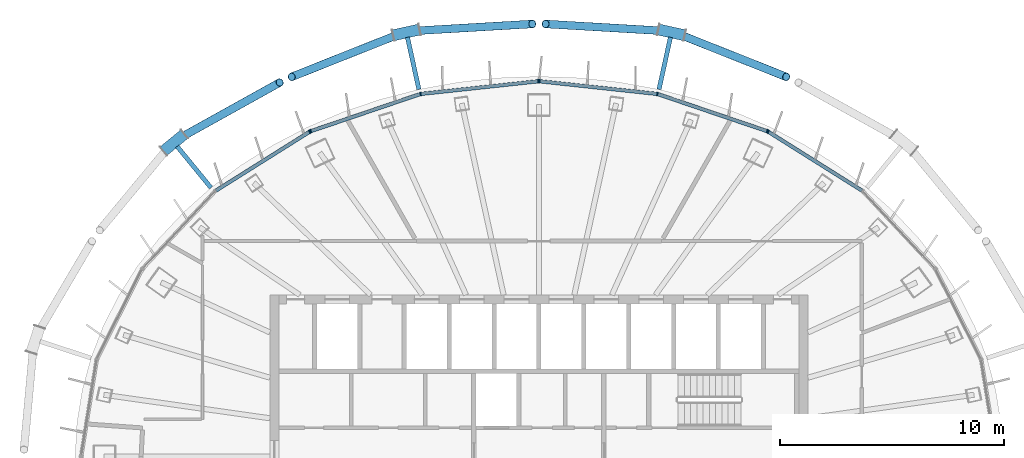
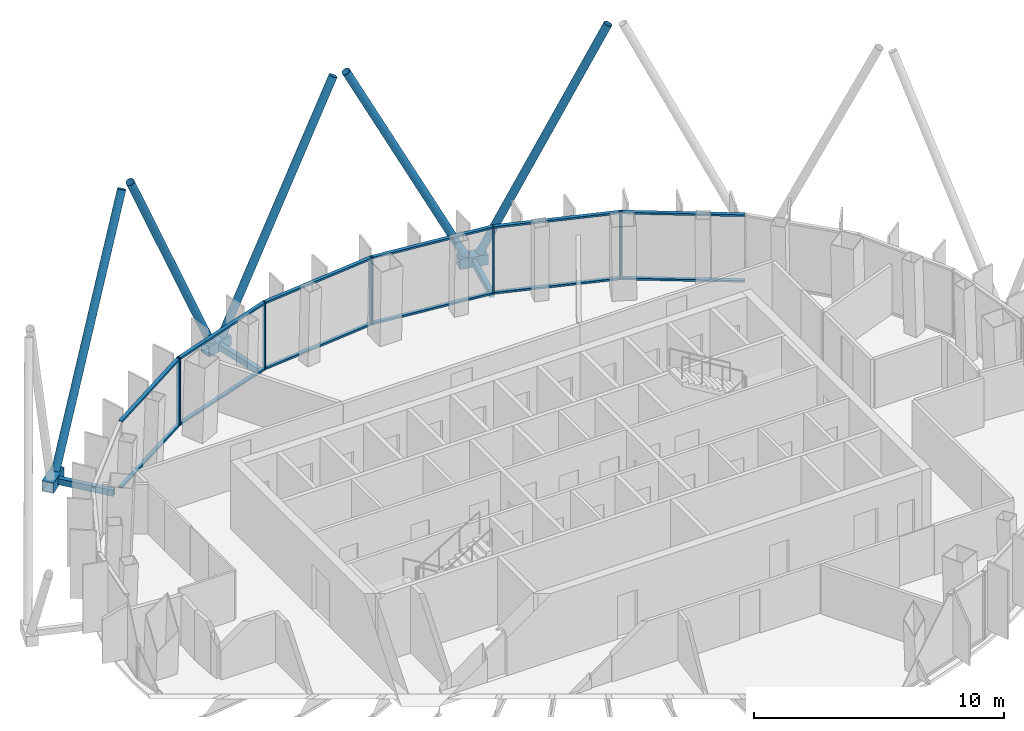
# One storey, part 7 of 18: 31 members, 4 elements without a shape of their own.
"""IFC4 building model written with IfcOpenShell, lengths in metres."""

from ifc_helpers import new_model, si_unit, direction, frame, origin, origin_2d, place, context, subcontext, project, spatial, rectangle, hollow_rectangle, hollow_circle, extrude, material, layer, layer_set, material_profile, profile_set, type_object, element, aggregate, save


model = new_model("IFC4")

# Units and contexts
model_context = context("Model", 3, precision=1e-05, world=origin(), true_north=direction((0.0, 1.0)))
body_context = subcontext(model_context, "Body", "Model", "MODEL_VIEW")
ifc_project = project(units=[si_unit("LENGTHUNIT", "METRE"), si_unit("AREAUNIT", "SQUARE_METRE"), si_unit("VOLUMEUNIT", "CUBIC_METRE"), si_unit("PLANEANGLEUNIT", "RADIAN"), si_unit("MASSUNIT", "GRAM", prefix="KILO")], contexts=[model_context])

# Site, building, storey
site_placement = place(None, origin())
site = spatial("IfcSite", under=ifc_project, at=site_placement, CompositionType="ELEMENT")
building_placement = place(site_placement, origin())
building = spatial("IfcBuilding", under=site, at=building_placement, Name="Siaravel Broadcast Tower", CompositionType="ELEMENT")
storey_placement = place(building_placement, frame((0.0, 0.0, 261.5)))
storey = spatial("IfcBuildingStorey", under=building, at=storey_placement, Name="L64", CompositionType="ELEMENT", Elevation=261.5)

# Curtain wall, member
ifc_material_1 = material(Name="Aluminium 6063-T6", Category="aluminium")
ifc_layer = layer(ifc_material_1, 0.159912109375)
ifc_layer_set = layer_set([ifc_layer], Name="Aluminium 6063-T6")
curtain_wall_type = type_object("IfcCurtainWallType", Name="Unitised curtain wall, zone 4", PredefinedType="NOTDEFINED", material=ifc_layer_set)
curtain_wall_1_placement = place(storey_placement, origin())
curtain_wall_1 = element("IfcCurtainWall", 1, at=curtain_wall_1_placement, inside=storey, type_object=curtain_wall_type, Name="L64 Unitised curtain wall, zone 4 02", PredefinedType="NOTDEFINED")
ifc_material_profile_1 = material_profile(ifc_material_1, rectangle(XDim=0.159912109375, YDim=0.054931640625, at=origin_2d()))
ifc_profile_set_1 = profile_set([ifc_material_profile_1], Name="Aluminium 6063-T6")
member_type_1 = type_object("IfcMemberType", Name="CW-Z4 mullion", PredefinedType="MULLION", material=ifc_profile_set_1)
member_1_placement = place(storey_placement, frame((10.226318359375, 14.475830078125, 0.0), z_axis=(0.0, 0.0, 1.0), x_axis=(-0.532150684, -0.846649661, 0.0)))
member_1 = element("IfcMember", 2, at=member_1_placement, type_object=member_type_1, Name="CW-Z4 mullion 3", PredefinedType="MULLION", context=body_context, shape_type="SweptSolid", body=[
    extrude(rectangle(XDim=0.159912109375, YDim=0.054931640625, at=origin_2d()), origin(), (0.0, 0.0, 1.0), 3.300048828125),
])

# Curtain wall, members
curtain_wall_2_placement = place(storey_placement, origin())
curtain_wall_2 = element("IfcCurtainWall", 3, at=curtain_wall_2_placement, inside=storey, type_object=curtain_wall_type, Name="L64 Unitised curtain wall, zone 4 03", PredefinedType="NOTDEFINED")
member_2_placement = place(storey_placement, frame((10.177001953125, 14.499267578125, 0.0), z_axis=(0.0, 0.0, 1.0), x_axis=(-0.321301606, -0.946976915, 0.0)))
member_2 = element("IfcMember", 4, at=member_2_placement, type_object=member_type_1, Name="CW-Z4 mullion 1", PredefinedType="MULLION", context=body_context, shape_type="SweptSolid", body=[
    extrude(rectangle(XDim=0.159912109375, YDim=0.054931640625, at=origin_2d()), origin(), (0.0, 0.0, 1.0), 3.300048828125),
])
member_3_placement = place(storey_placement, frame((5.28125, 16.160400390625, 0.0), z_axis=(0.0, 0.0, 1.0), x_axis=(-0.215558742, -0.976490875, 0.0)))
member_3 = element("IfcMember", 5, at=member_3_placement, type_object=member_type_1, Name="CW-Z4 mullion 2", PredefinedType="MULLION", context=body_context, shape_type="SweptSolid", body=[
    extrude(rectangle(XDim=0.159912109375, YDim=0.054931640625, at=origin_2d()), origin(), (0.0, 0.0, 1.0), 3.300048828125),
])
member_4_placement = place(storey_placement, frame((0.02734375, 16.72705078125, 0.0), z_axis=(0.0, 0.0, 1.0), x_axis=(-0.107217829, -0.994235554, 0.0)))
member_4 = element("IfcMember", 6, at=member_4_placement, type_object=member_type_1, Name="CW-Z4 mullion 3", PredefinedType="MULLION", context=body_context, shape_type="SweptSolid", body=[
    extrude(rectangle(XDim=0.159912109375, YDim=0.054931640625, at=origin_2d()), origin(), (0.0, 0.0, 1.0), 3.300048828125),
])

curtain_wall_3_placement = place(storey_placement, origin())
curtain_wall_3 = element("IfcCurtainWall", 7, at=curtain_wall_3_placement, inside=storey, type_object=curtain_wall_type, Name="L64 Unitised curtain wall, zone 4 04", PredefinedType="NOTDEFINED")
member_5_placement = place(storey_placement, frame((-0.02734375, 16.72705078125, 0.0), z_axis=(0.0, 0.0, 1.0), x_axis=(0.107217829, -0.994235554, 0.0)))
member_5 = element("IfcMember", 8, at=member_5_placement, type_object=member_type_1, Name="CW-Z4 mullion 1", PredefinedType="MULLION", context=body_context, shape_type="SweptSolid", body=[
    extrude(rectangle(XDim=0.159912109375, YDim=0.054931640625, at=origin_2d()), origin(), (0.0, 0.0, 1.0), 3.300048828125),
])
member_6_placement = place(storey_placement, frame((-5.28125, 16.160400390625, 0.0), z_axis=(0.0, 0.0, 1.0), x_axis=(0.215558742, -0.976490875, 0.0)))
member_6 = element("IfcMember", 9, at=member_6_placement, type_object=member_type_1, Name="CW-Z4 mullion 2", PredefinedType="MULLION", context=body_context, shape_type="SweptSolid", body=[
    extrude(rectangle(XDim=0.159912109375, YDim=0.054931640625, at=origin_2d()), origin(), (0.0, 0.0, 1.0), 3.300048828125),
])
member_7_placement = place(storey_placement, frame((-10.177001953125, 14.499267578125, 0.0), z_axis=(0.0, 0.0, 1.0), x_axis=(0.321301606, -0.946976915, 0.0)))
member_7 = element("IfcMember", 10, at=member_7_placement, type_object=member_type_1, Name="CW-Z4 mullion 3", PredefinedType="MULLION", context=body_context, shape_type="SweptSolid", body=[
    extrude(rectangle(XDim=0.159912109375, YDim=0.054931640625, at=origin_2d()), origin(), (0.0, 0.0, 1.0), 3.300048828125),
])

# Curtain wall, member
curtain_wall_4_placement = place(storey_placement, origin())
curtain_wall_4 = element("IfcCurtainWall", 11, at=curtain_wall_4_placement, inside=storey, type_object=curtain_wall_type, Name="L64 Unitised curtain wall, zone 4 05", PredefinedType="NOTDEFINED")
member_8_placement = place(storey_placement, frame((-10.226318359375, 14.475830078125, 0.0), z_axis=(0.0, 0.0, 1.0), x_axis=(0.532150684, -0.846649661, 0.0)))
member_8 = element("IfcMember", 12, at=member_8_placement, type_object=member_type_1, Name="CW-Z4 mullion 1", PredefinedType="MULLION", context=body_context, shape_type="SweptSolid", body=[
    extrude(rectangle(XDim=0.159912109375, YDim=0.054931640625, at=origin_2d()), origin(), (0.0, 0.0, 1.0), 3.300048828125),
])

# Member
ifc_material_profile_2 = material_profile(ifc_material_1, rectangle(XDim=0.159912109375, YDim=0.090087890625, at=origin_2d()))
ifc_profile_set_2 = profile_set([ifc_material_profile_2], Name="Aluminium 6063-T6")
member_type_2 = type_object("IfcMemberType", Name="CW-Z4 transom", PredefinedType="USERDEFINED", material=ifc_profile_set_2)
member_9_placement = place(storey_placement, frame((14.40771484375, 11.847900390625, 0.044921875), z_axis=(-0.846663426, 0.532128784, 0.0), x_axis=(-0.532128784, -0.846663426, 0.0)))
member_9 = element("IfcMember", 13, at=member_9_placement, type_object=member_type_2, Name="CW-Z4 transom 2", ObjectType="TRANSOM", PredefinedType="USERDEFINED", context=body_context, shape_type="SweptSolid", body=[
    extrude(rectangle(XDim=0.159912109375, YDim=0.090087890625, at=origin_2d()), origin(), (0.0, 0.0, 1.0), 4.910888671875),
])

member_10_placement = place(storey_placement, frame((14.40771484375, 11.847900390625, 3.2548828125), z_axis=(-0.846663426, 0.532128784, 0.0), x_axis=(-0.532128784, -0.846663426, 0.0)))
member_10 = element("IfcMember", 14, at=member_10_placement, type_object=member_type_2, Name="CW-Z4 transom 2", ObjectType="TRANSOM", PredefinedType="USERDEFINED", context=body_context, shape_type="SweptSolid", body=[
    extrude(rectangle(XDim=0.159912109375, YDim=0.090087890625, at=origin_2d()), origin(), (0.0, 0.0, 1.0), 4.910888671875),
])

aggregate(curtain_wall_1, [member_1, member_9, member_10])

member_11_placement = place(storey_placement, frame((10.15087890625, 14.50830078125, 0.044921875), z_axis=(-0.946984924, 0.321278, 0.0), x_axis=(-0.321278, -0.946984924, 0.0)))
member_11 = element("IfcMember", 15, at=member_11_placement, type_object=member_type_2, Name="CW-Z4 transom 1", ObjectType="TRANSOM", PredefinedType="USERDEFINED", context=body_context, shape_type="SweptSolid", body=[
    extrude(rectangle(XDim=0.159912109375, YDim=0.090087890625, at=origin_2d()), origin(), (0.0, 0.0, 1.0), 5.114990234375),
])

member_12_placement = place(storey_placement, frame((10.15087890625, 14.50830078125, 3.2548828125), z_axis=(-0.946984924, 0.321278, 0.0), x_axis=(-0.321278, -0.946984924, 0.0)))
member_12 = element("IfcMember", 16, at=member_12_placement, type_object=member_type_2, Name="CW-Z4 transom 1", ObjectType="TRANSOM", PredefinedType="USERDEFINED", context=body_context, shape_type="SweptSolid", body=[
    extrude(rectangle(XDim=0.159912109375, YDim=0.090087890625, at=origin_2d()), origin(), (0.0, 0.0, 1.0), 5.114990234375),
])

member_13_placement = place(storey_placement, frame((5.25390625, 16.163330078125, 0.044921875), z_axis=(-0.994233311, 0.107238632, 0.0), x_axis=(-0.107238632, -0.994233311, 0.0)))
member_13 = element("IfcMember", 17, at=member_13_placement, type_object=member_type_2, Name="CW-Z4 transom 2", ObjectType="TRANSOM", PredefinedType="USERDEFINED", context=body_context, shape_type="SweptSolid", body=[
    extrude(rectangle(XDim=0.159912109375, YDim=0.090087890625, at=origin_2d()), origin(), (0.0, 0.0, 1.0), 5.2294921875),
])

member_14_placement = place(storey_placement, frame((5.25390625, 16.163330078125, 3.2548828125), z_axis=(-0.994233311, 0.107238632, 0.0), x_axis=(-0.107238632, -0.994233311, 0.0)))
member_14 = element("IfcMember", 18, at=member_14_placement, type_object=member_type_2, Name="CW-Z4 transom 2", ObjectType="TRANSOM", PredefinedType="USERDEFINED", context=body_context, shape_type="SweptSolid", body=[
    extrude(rectangle(XDim=0.159912109375, YDim=0.090087890625, at=origin_2d()), origin(), (0.0, 0.0, 1.0), 5.2294921875),
])

aggregate(curtain_wall_2, [member_2, member_3, member_4, member_11, member_12, member_13, member_14])

member_15_placement = place(storey_placement, frame((-0.0546875, 16.72412109375, 0.044921875), z_axis=(-0.994233311, -0.107238632, 0.0), x_axis=(0.107238632, -0.994233311, 0.0)))
member_15 = element("IfcMember", 19, at=member_15_placement, type_object=member_type_2, Name="CW-Z4 transom 1", ObjectType="TRANSOM", PredefinedType="USERDEFINED", context=body_context, shape_type="SweptSolid", body=[
    extrude(rectangle(XDim=0.159912109375, YDim=0.090087890625, at=origin_2d()), origin(), (0.0, 0.0, 1.0), 5.2294921875),
])

member_16_placement = place(storey_placement, frame((-0.0546875, 16.72412109375, 3.2548828125), z_axis=(-0.994233311, -0.107238632, 0.0), x_axis=(0.107238632, -0.994233311, 0.0)))
member_16 = element("IfcMember", 20, at=member_16_placement, type_object=member_type_2, Name="CW-Z4 transom 1", ObjectType="TRANSOM", PredefinedType="USERDEFINED", context=body_context, shape_type="SweptSolid", body=[
    extrude(rectangle(XDim=0.159912109375, YDim=0.090087890625, at=origin_2d()), origin(), (0.0, 0.0, 1.0), 5.2294921875),
])

member_17_placement = place(storey_placement, frame((-5.30712890625, 16.151611328125, 0.044921875), z_axis=(-0.946984924, -0.321278, 0.0), x_axis=(0.321278, -0.946984924, 0.0)))
member_17 = element("IfcMember", 21, at=member_17_placement, type_object=member_type_2, Name="CW-Z4 transom 2", ObjectType="TRANSOM", PredefinedType="USERDEFINED", context=body_context, shape_type="SweptSolid", body=[
    extrude(rectangle(XDim=0.159912109375, YDim=0.090087890625, at=origin_2d()), origin(), (0.0, 0.0, 1.0), 5.114990234375),
])

member_18_placement = place(storey_placement, frame((-5.30712890625, 16.151611328125, 3.2548828125), z_axis=(-0.946984924, -0.321278, 0.0), x_axis=(0.321278, -0.946984924, 0.0)))
member_18 = element("IfcMember", 22, at=member_18_placement, type_object=member_type_2, Name="CW-Z4 transom 2", ObjectType="TRANSOM", PredefinedType="USERDEFINED", context=body_context, shape_type="SweptSolid", body=[
    extrude(rectangle(XDim=0.159912109375, YDim=0.090087890625, at=origin_2d()), origin(), (0.0, 0.0, 1.0), 5.114990234375),
])

aggregate(curtain_wall_3, [member_5, member_6, member_7, member_15, member_16, member_17, member_18])

member_19_placement = place(storey_placement, frame((-10.249755859375, 14.461181640625, 0.044921875), z_axis=(-0.846663426, -0.532128784, 0.0), x_axis=(0.532128784, -0.846663426, 0.0)))
member_19 = element("IfcMember", 23, at=member_19_placement, type_object=member_type_2, Name="CW-Z4 transom 1", ObjectType="TRANSOM", PredefinedType="USERDEFINED", context=body_context, shape_type="SweptSolid", body=[
    extrude(rectangle(XDim=0.159912109375, YDim=0.090087890625, at=origin_2d()), origin(), (0.0, 0.0, 1.0), 4.910888671875),
])

member_20_placement = place(storey_placement, frame((-10.249755859375, 14.461181640625, 3.2548828125), z_axis=(-0.846663426, -0.532128784, 0.0), x_axis=(0.532128784, -0.846663426, 0.0)))
member_20 = element("IfcMember", 24, at=member_20_placement, type_object=member_type_2, Name="CW-Z4 transom 1", ObjectType="TRANSOM", PredefinedType="USERDEFINED", context=body_context, shape_type="SweptSolid", body=[
    extrude(rectangle(XDim=0.159912109375, YDim=0.090087890625, at=origin_2d()), origin(), (0.0, 0.0, 1.0), 4.910888671875),
])

aggregate(curtain_wall_4, [member_8, member_19, member_20])

# Members
ifc_material_2 = material(Name="Steel S460", Category="steel")
ifc_material_profile_3 = material_profile(ifc_material_2, hollow_circle(Radius=0.177734375, WallThickness=0.012451171875, at=origin_2d()))
ifc_profile_set_3 = profile_set([ifc_material_profile_3], Name="Steel S460")
member_type_3 = type_object("IfcMemberType", Name="Diagrid diagonal CHS 355.6x12.5", PredefinedType="BRACE", material=ifc_profile_set_3)
member_21_placement = place(storey_placement, frame((6.199462890625, 18.841064453125, 0.02001953125), z_axis=(0.407037487, -0.16182674, 0.898961952), x_axis=(0.369444903, 0.929252637, 0.0)))
element("IfcMember", 25, at=member_21_placement, inside=storey, type_object=member_type_3, Name="Diagrid diagonal R26 station 15C", PredefinedType="BRACE", context=body_context, shape_type="SweptSolid", body=[
    extrude(hollow_circle(Radius=0.177734375, WallThickness=0.012451171875, at=origin_2d()), origin(), (0.0, 0.0, 1.0), 11.85791015625),
])
for number, where, z_axis, x_axis, name in (
    (26, (5.6220703125, 18.968017578125, 0.02001953125), (-0.446822791, 0.026174063, 0.894239516), (-0.058477928, -0.998288702, 0.0), "Diagrid diagonal R26 station 15A"),
    (27, (-5.6220703125, 18.968017578125, 0.02001953125), (0.446822791, 0.026174063, 0.894239516), (-0.058477928, 0.998288702, 0.0), "Diagrid diagonal R26 station 21C"),
):
    element("IfcMember", number, at=place(storey_placement, frame(where, z_axis=z_axis, x_axis=x_axis)), inside=storey, type_object=member_type_3, Name=name, PredefinedType="BRACE", context=body_context, shape_type="SweptSolid", body=[
        extrude(hollow_circle(Radius=0.177734375, WallThickness=0.012451171875, at=origin_2d()), origin(), (0.0, 0.0, 1.0), 11.920654296875),
    ])
member_22_placement = place(storey_placement, frame((-6.199462890625, 18.841064453125, 0.02001953125), z_axis=(-0.407037487, -0.16182674, 0.898961952), x_axis=(0.369444903, -0.929252637, 0.0)))
element("IfcMember", 28, at=member_22_placement, inside=storey, type_object=member_type_3, Name="Diagrid diagonal R26 station 21A", PredefinedType="BRACE", context=body_context, shape_type="SweptSolid", body=[
    extrude(hollow_circle(Radius=0.177734375, WallThickness=0.012451171875, at=origin_2d()), origin(), (0.0, 0.0, 1.0), 11.85791015625),
])
member_23_placement = place(storey_placement, frame((-16.04443359375, 14.1787109375, 0.02001953125), z_axis=(0.379036862, 0.210527879, 0.901115458), x_axis=(-0.485558059, 0.874204422, 0.0)))
element("IfcMember", 29, at=member_23_placement, inside=storey, type_object=member_type_3, Name="Diagrid diagonal R26 station 27C", PredefinedType="BRACE", context=body_context, shape_type="SweptSolid", body=[
    extrude(hollow_circle(Radius=0.177734375, WallThickness=0.012451171875, at=origin_2d()), origin(), (0.0, 0.0, 1.0), 11.82958984375),
])
ifc_material_profile_4 = material_profile(ifc_material_2, hollow_rectangle(XDim=0.5, YDim=0.5, WallThickness=0.031982421875, at=origin_2d()))
ifc_profile_set_4 = profile_set([ifc_material_profile_4], Name="Steel S460")
member_type_4 = type_object("IfcMemberType", Name="Diagrid node BOX 500x500x32", PredefinedType="USERDEFINED", material=ifc_profile_set_4)
for number, where, z_axis, x_axis, name in (
    (30, (6.490234375, 18.77734375, -0.199951171875), (-0.97675485, 0.214359426, 0.0), (-0.214359426, -0.97675485, 0.0), "Diagrid node R26 station 15"),
    (31, (-5.3310546875, 19.03173828125, -0.199951171875), (-0.97675485, -0.214359426, 0.0), (0.214359426, -0.97675485, 0.0), "Diagrid node R26 station 21"),
):
    element("IfcMember", number, at=place(storey_placement, frame(where, z_axis=z_axis, x_axis=x_axis)), inside=storey, type_object=member_type_4, Name=name, ObjectType="DIAGRID NODE", PredefinedType="USERDEFINED", context=body_context, shape_type="SweptSolid", body=[
        extrude(hollow_rectangle(XDim=0.5, YDim=0.5, WallThickness=0.031982421875, at=origin_2d()), origin(), (0.0, 0.0, 1.0), 1.186767578125),
    ])
member_24_placement = place(storey_placement, frame((-15.814208984375, 14.3671875, -0.199951171875), z_axis=(-0.7735905, -0.633685835, 0.0), x_axis=(0.633685835, -0.7735905, 0.0)))
element("IfcMember", 32, at=member_24_placement, inside=storey, type_object=member_type_4, Name="Diagrid node R26 station 27", ObjectType="DIAGRID NODE", PredefinedType="USERDEFINED", context=body_context, shape_type="SweptSolid", body=[
    extrude(hollow_rectangle(XDim=0.5, YDim=0.5, WallThickness=0.031982421875, at=origin_2d()), origin(), (0.0, 0.0, 1.0), 1.1865234375),
])
ifc_material_profile_5 = material_profile(ifc_material_2, hollow_rectangle(XDim=0.199951171875, YDim=0.300048828125, WallThickness=0.012451171875, at=origin_2d()))
ifc_profile_set_5 = profile_set([ifc_material_profile_5], Name="Steel S460")
member_type_5 = type_object("IfcMemberType", Name="Diagrid node arm RHS 300x200x12.5", PredefinedType="STRUT", material=ifc_profile_set_5)
for number, where, z_axis, x_axis, name in (
    (33, (5.353271484375, 16.364990234375, -0.199951171875), (0.2143882, 0.976748535, 0.0), (-0.976748535, 0.2143882, 0.0), "Node arm R26 station 15"),
    (34, (-5.353271484375, 16.364990234375, -0.199951171875), (-0.2143882, 0.976748535, 0.0), (-0.976748535, -0.2143882, 0.0), "Node arm R26 station 21"),
    (35, (-14.62548828125, 11.97998046875, -0.199951171875), (-0.633734814, 0.773550377, 0.0), (-0.773550377, -0.633734814, 0.0), "Node arm R26 station 27"),
):
    element("IfcMember", number, at=place(storey_placement, frame(where, z_axis=z_axis, x_axis=x_axis)), inside=storey, type_object=member_type_5, Name=name, PredefinedType="STRUT", context=body_context, shape_type="SweptSolid", body=[
        extrude(hollow_rectangle(XDim=0.199951171875, YDim=0.300048828125, WallThickness=0.012451171875, at=origin_2d()), origin(), (0.0, 0.0, 1.0), 2.380126953125),
    ])

save(model, "model.ifc")
